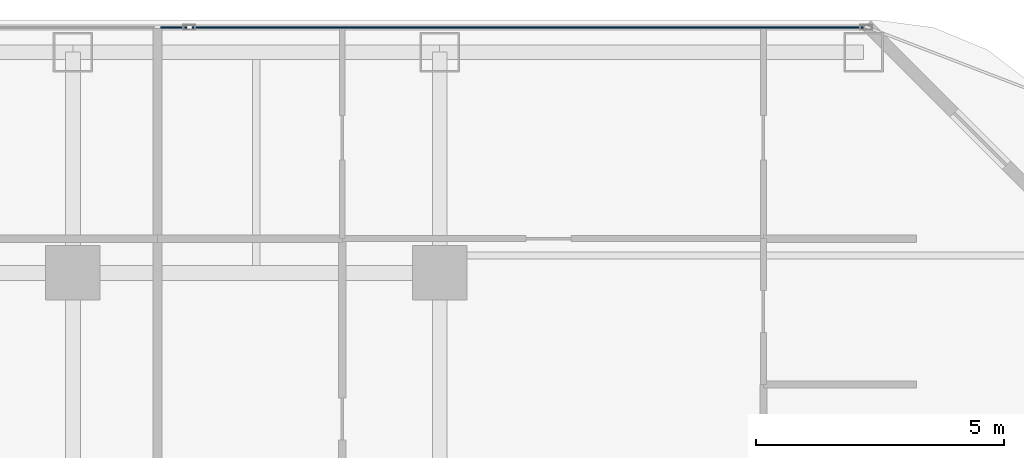
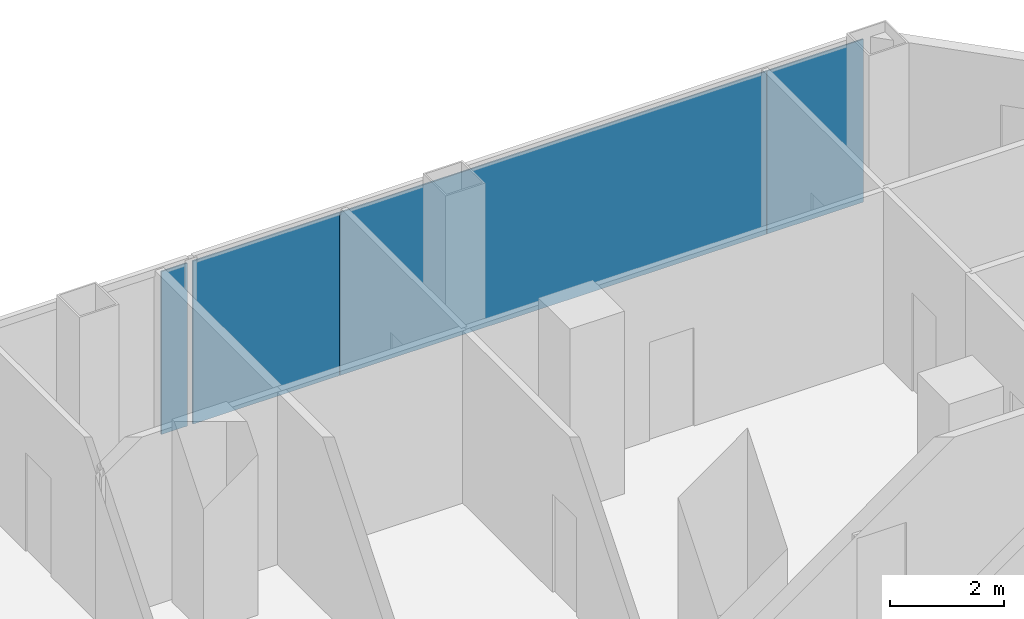
# One storey, part 19 of 28: 4 plates, 1 element without a shape of its own.
"""IFC4 building model written with IfcOpenShell, lengths in metres."""

from ifc_helpers import new_model, si_unit, direction, frame, origin, origin_2d, place, context, subcontext, project, spatial, rectangle, extrude, material, layer, layer_set, type_object, element, aggregate, save


model = new_model("IFC4")

# Units and contexts
model_context = context("Model", 3, precision=1e-05, world=origin(), true_north=direction((0.0, 1.0)))
body_context = subcontext(model_context, "Body", "Model", "MODEL_VIEW")
ifc_project = project(units=[si_unit("LENGTHUNIT", "METRE"), si_unit("AREAUNIT", "SQUARE_METRE"), si_unit("VOLUMEUNIT", "CUBIC_METRE"), si_unit("PLANEANGLEUNIT", "RADIAN"), si_unit("MASSUNIT", "GRAM", prefix="KILO")], contexts=[model_context])

# Site, building, storey
site_placement = place(None, origin())
site = spatial("IfcSite", under=ifc_project, at=site_placement, CompositionType="ELEMENT")
building_placement = place(site_placement, origin())
building = spatial("IfcBuilding", under=site, at=building_placement, Name="Khorvyn Point Tower", CompositionType="ELEMENT")
storey_placement = place(building_placement, frame((0.0, 0.0, 34.5)))
storey = spatial("IfcBuildingStorey", under=building, at=storey_placement, Name="L09", CompositionType="ELEMENT", Elevation=34.5)

# Curtain wall, plates
ifc_material_1 = material(Name="Anodised aluminium 6063-T6 and laminated Low-E glass", Category="aluminium")
ifc_layer_1 = layer(ifc_material_1, 0.18994140625)
ifc_layer_set_1 = layer_set([ifc_layer_1], Name="Stick-Built Finned Residential Curtain Wall CW-SYS-02")
curtain_wall_type = type_object("IfcCurtainWallType", Name="Stick-Built Finned Residential Curtain Wall CW-SYS-02", PredefinedType="NOTDEFINED", material=ifc_layer_set_1)
curtain_wall_placement = place(storey_placement, origin())
curtain_wall = element("IfcCurtainWall", 1, at=curtain_wall_placement, inside=storey, type_object=curtain_wall_type, Name="Curtain Wall", PredefinedType="NOTDEFINED")
ifc_material_2 = material(Name="Laminated Low-E insulated glass", Category="glass")
ifc_layer_2 = layer(ifc_material_2, 0.028076171875)
ifc_layer_set_2 = layer_set([ifc_layer_2], Name="Tempered Low-E Vision Glazing Panel CW-GL28")
plate_type = type_object("IfcPlateType", Name="Tempered Low-E Vision Glazing Panel CW-GL28", PredefinedType="CURTAIN_PANEL", material=ifc_layer_set_2)
plate_1_placement = place(storey_placement, frame((9.4326171875, 25.050048828125, 0.10009765625), z_axis=(0.0, 0.0, 1.0), x_axis=(1.0, 0.0, 0.0)))
plate_1 = element("IfcPlate", 2, at=plate_1_placement, type_object=plate_type, Name="Panel", PredefinedType="CURTAIN_PANEL", context=body_context, shape_type="SweptSolid", body=[
    extrude(rectangle(XDim=0.527099609375, YDim=0.028076171875, at=origin_2d()), origin(), (0.0, 0.0, 1.0), 3.47998046875),
])
plate_2_placement = place(storey_placement, frame((11.287109375, 25.050048828125, 0.10009765625), z_axis=(0.0, 0.0, 1.0), x_axis=(1.0, 0.0, 0.0)))
plate_2 = element("IfcPlate", 3, at=plate_2_placement, type_object=plate_type, Name="Panel", PredefinedType="CURTAIN_PANEL", context=body_context, shape_type="SweptSolid", body=[
    extrude(rectangle(XDim=2.966064453125, YDim=0.028076171875, at=origin_2d()), origin(), (0.0, 0.0, 1.0), 3.47998046875),
])
plate_3_placement = place(storey_placement, frame((17.08203125, 25.050048828125, 0.10009765625), z_axis=(0.0, 0.0, 1.0), x_axis=(1.0, 0.0, 0.0)))
plate_3 = element("IfcPlate", 4, at=plate_3_placement, type_object=plate_type, Name="Panel", PredefinedType="CURTAIN_PANEL", context=body_context, shape_type="SweptSolid", body=[
    extrude(rectangle(XDim=8.60791015625, YDim=0.028076171875, at=origin_2d()), origin(), (0.0, 0.0, 1.0), 3.47998046875),
])
plate_4_placement = place(storey_placement, frame((22.3701171875, 25.050048828125, 0.10009765625), z_axis=(0.0, 0.0, 1.0), x_axis=(1.0, 0.0, 0.0)))
plate_4 = element("IfcPlate", 5, at=plate_4_placement, type_object=plate_type, Name="Panel", PredefinedType="CURTAIN_PANEL", context=body_context, shape_type="SweptSolid", body=[
    extrude(rectangle(XDim=1.951904296875, YDim=0.028076171875, at=origin_2d()), origin(), (0.0, 0.0, 1.0), 3.47998046875),
])
aggregate(curtain_wall, [plate_1, plate_2, plate_3, plate_4])

save(model, "model.ifc")
